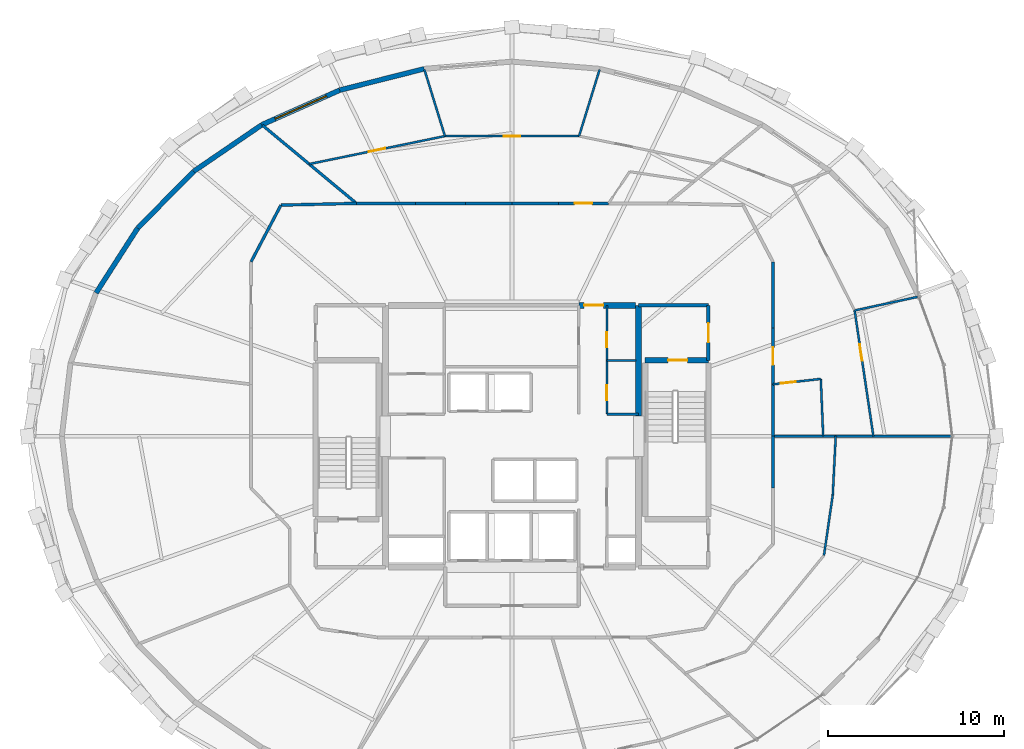
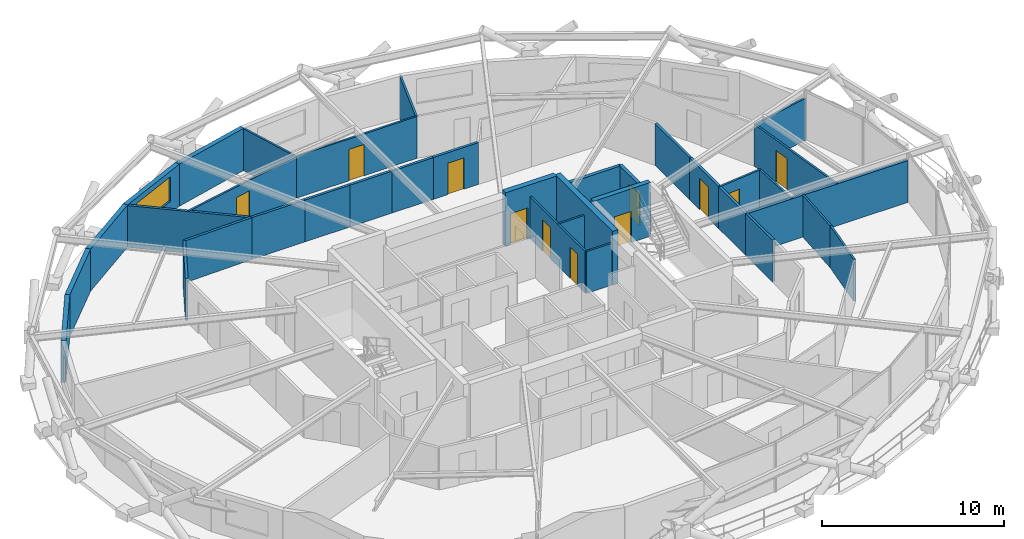
# One storey, part 13 of 15: 36 walls, 11 doors, 1 window, 12 openings.
"""IFC4 building model written with IfcOpenShell, lengths in metres."""

from ifc_helpers import new_model, si_unit, direction, frame, frame_2d, origin, place, context, subcontext, project, spatial, rectangle, extrude, material, layer, layer_set, type_object, element, fill, save


model = new_model("IFC4")

# Units and contexts
model_context = context("Model", 3, precision=1e-05, world=origin(), true_north=direction((0.0, 1.0)))
body_context = subcontext(model_context, "Body", "Model", "MODEL_VIEW")
ifc_project = project(units=[si_unit("LENGTHUNIT", "METRE"), si_unit("AREAUNIT", "SQUARE_METRE"), si_unit("VOLUMEUNIT", "CUBIC_METRE"), si_unit("PLANEANGLEUNIT", "RADIAN"), si_unit("MASSUNIT", "GRAM", prefix="KILO")], contexts=[model_context])

# Site, building, storey
site_placement = place(None, origin())
site = spatial("IfcSite", under=ifc_project, at=site_placement, CompositionType="ELEMENT")
building_placement = place(site_placement, origin())
building = spatial("IfcBuilding", under=site, at=building_placement, Name="Veldorina Hangang Commons", CompositionType="ELEMENT")
storey_placement = place(building_placement, frame((0.0, 0.0, 182.0)))
storey = spatial("IfcBuildingStorey", under=building, at=storey_placement, Name="L47", CompositionType="ELEMENT", Elevation=182.0)

# Wall
ifc_material_1 = material(Name="Concrete C60/75", Category="concrete")
ifc_layer_1 = layer(ifc_material_1, 0.340087890625)
ifc_layer_set_1 = layer_set([ifc_layer_1], Name="Concrete C60/75")
wall_type_1 = type_object("IfcWallType", Name="CW-RC340-C60", PredefinedType="SHEAR", material=ifc_layer_set_1)
wall_1_placement = place(storey_placement, frame((39.199951171875, 25.14990234375, 0.0), z_axis=(0.0, 0.0, 1.0), x_axis=(0.0, 1.0, 0.0)))
element("IfcWall", 1, at=wall_1_placement, inside=storey, type_object=wall_type_1, Name="L47 E north core shear wall", PredefinedType="SHEAR", context=body_context, shape_type="SweptSolid", body=[
    extrude(rectangle(XDim=6.300048828125, YDim=0.340087890625, at=frame_2d((3.14990234375, 0.0))), origin(), (0.0, 0.0, 1.0), 3.60009765625),
])

# Wall, opening, door
wall_2_placement = place(storey_placement, frame((35.800048828125, 31.449951171875, 0.0), z_axis=(0.0, 0.0, 1.0), x_axis=(1.0, 0.0, 0.0)))
wall_2 = element("IfcWall", 2, at=wall_2_placement, inside=storey, type_object=wall_type_1, Name="L47 north-east core shear wall", PredefinedType="SHEAR", context=body_context, shape_type="SweptSolid", body=[
    extrude(rectangle(XDim=3.22998046875, YDim=0.340087890625, at=frame_2d((1.614990234375, 0.0))), origin(), (0.0, 0.0, 1.0), 3.60009765625),
])
opening_1_placement = place(wall_2_placement, frame((0.300048828125, 0.0, 0.0)))
opening_1 = element("IfcOpeningElement", 3, at=opening_1_placement, cuts=wall_2, Name="Opening D-08", PredefinedType="OPENING", context=body_context, shape_type="SweptSolid", body=[
    extrude(rectangle(XDim=1.10009765625, YDim=2.10009765625, at=frame_2d((0.550048828125, 1.050048828125))), frame((0.0, 0.18017578125, 0.0), z_axis=(0.0, -1.0, 0.0), x_axis=(1.0, 0.0, 0.0)), (0.0, 0.0, 1.0), 0.360107421875),
])
ifc_material_2 = material(Name="Steel Fire-Rated Smoke Seal", Category="steel")
door_type_1 = type_object("IfcDoorType", Name="DR-FIRE-1100", OperationType="SINGLE_SWING_RIGHT", PredefinedType="DOOR", material=ifc_material_2)
door_1_placement = place(opening_1_placement, origin())
door_1 = element("IfcDoor", 4, at=door_1_placement, inside=storey, type_object=door_type_1, Name="L47 central lift lobby north corridor door", OperationType="SINGLE_SWING_LEFT", OverallHeight=2.10009765625, OverallWidth=1.10009765625, PredefinedType="DOOR", context=body_context, shape_type="SweptSolid", body=[
    extrude(rectangle(XDim=1.10009765625, YDim=2.10009765625, at=frame_2d((0.550048828125, 1.050048828125))), frame((0.0, 0.02490234375, 0.0), z_axis=(0.0, -1.0, 0.0), x_axis=(1.0, 0.0, 0.0)), (0.0, 0.0, 1.0), 0.050048828125),
])
fill(opening_1, door_1)

# Wall
ifc_material_3 = material(Name="Stone Roman Travertine", Category="masonry")
ifc_layer_2 = layer(ifc_material_3, 0.280029296875)
ifc_layer_set_2 = layer_set([ifc_layer_2], Name="Stone Roman Travertine")
wall_type_2 = type_object("IfcWallType", Name="EW-TRAV-280", PredefinedType="STANDARD", material=ifc_layer_set_2)
wall_3_placement = place(storey_placement, frame((27.00244140625, 44.90625, 0.0), z_axis=(0.0, 0.0, 1.0), x_axis=(-0.96958067748, -0.244771954803, 0.0)))
element("IfcWall", 5, at=wall_3_placement, inside=storey, type_object=wall_type_2, Name="L47 travertine facade wall 09", PredefinedType="STANDARD", context=body_context, shape_type="SweptSolid", body=[
    extrude(rectangle(XDim=4.956298828125, YDim=0.280029296875, at=frame_2d((2.47802734375, 0.0))), origin(), (0.0, 0.0, 1.0), 2.820068359375),
])

# Wall, opening, window
wall_4_placement = place(storey_placement, frame((22.197021484375, 43.693115234375, 0.0), z_axis=(0.0, 0.0, 1.0), x_axis=(-0.913703507389, -0.406381471754, 0.0)))
wall_4 = element("IfcWall", 6, at=wall_4_placement, inside=storey, type_object=wall_type_2, Name="L47 travertine facade wall 10", PredefinedType="STANDARD", context=body_context, shape_type="SweptSolid", body=[
    extrude(rectangle(XDim=4.846923828125, YDim=0.280029296875, at=frame_2d((2.42333984375, 0.0))), origin(), (0.0, 0.0, 1.0), 2.820068359375),
])
opening_2_placement = place(wall_4_placement, frame((0.823486328125, 0.0, 0.800048828125)))
opening_2 = element("IfcOpeningElement", 7, at=opening_2_placement, cuts=wall_4, Name="Opening W-01", PredefinedType="OPENING", context=body_context, shape_type="SweptSolid", body=[
    extrude(rectangle(XDim=3.199951171875, YDim=1.64990234375, at=frame_2d((1.60009765625, 0.824951171875))), frame((0.0, 0.14990234375, 0.0), z_axis=(0.0, -1.0, 0.0), x_axis=(1.0, 0.0, 0.0)), (0.0, 0.0, 1.0), 0.300048828125),
])
ifc_material_4 = material(Name="Glass Low-E Triple IGU", Category="glass")
window_type = type_object("IfcWindowType", Name="WIN-TWR-3200", PartitioningType="SINGLE_PANEL", PredefinedType="WINDOW", material=ifc_material_4)
window_placement = place(opening_2_placement, origin())
window = element("IfcWindow", 8, at=window_placement, inside=storey, type_object=window_type, Name="L47 facade window 10", OverallHeight=1.64990234375, OverallWidth=3.199951171875, PartitioningType="SINGLE_PANEL", PredefinedType="WINDOW", context=body_context, shape_type="SweptSolid", body=[
    extrude(rectangle(XDim=3.199951171875, YDim=1.64990234375, at=frame_2d((1.60009765625, 0.824951171875))), frame((0.0, 0.030029296875, 0.0), z_axis=(0.0, -1.0, 0.0), x_axis=(1.0, 0.0, 0.0)), (0.0, 0.0, 1.0), 0.06005859375),
])
fill(opening_2, window)

# Walls
wall_5_placement = place(storey_placement, frame((17.768310546875, 41.723388671875, 0.0), z_axis=(0.0, 0.0, 1.0), x_axis=(-0.825797441916, -0.563966829632, 0.0)))
element("IfcWall", 9, at=wall_5_placement, inside=storey, type_object=wall_type_2, Name="L47 travertine facade wall 11", PredefinedType="STANDARD", context=body_context, shape_type="SweptSolid", body=[
    extrude(rectangle(XDim=4.700439453125, YDim=0.280029296875, at=frame_2d((2.35009765625, 0.0))), origin(), (0.0, 0.0, 1.0), 2.820068359375),
])
wall_6_placement = place(storey_placement, frame((13.88671875, 39.072509765625, 0.0), z_axis=(0.0, 0.0, 1.0), x_axis=(-0.70219293187, -0.711986717876, 0.0)))
element("IfcWall", 10, at=wall_6_placement, inside=storey, type_object=wall_type_2, Name="L47 travertine facade wall 12", PredefinedType="STANDARD", context=body_context, shape_type="SweptSolid", body=[
    extrude(rectangle(XDim=4.536865234375, YDim=0.280029296875, at=frame_2d((2.2685546875, 0.0))), origin(), (0.0, 0.0, 1.0), 2.820068359375),
])
wall_7_placement = place(storey_placement, frame((10.700927734375, 35.84228515625, 0.0), z_axis=(0.0, 0.0, 1.0), x_axis=(-0.54047019892, -0.841363158261, 0.0)))
element("IfcWall", 11, at=wall_7_placement, inside=storey, type_object=wall_type_2, Name="L47 travertine facade wall 13", PredefinedType="STANDARD", context=body_context, shape_type="SweptSolid", body=[
    extrude(rectangle(XDim=4.3798828125, YDim=0.280029296875, at=frame_2d((2.18994140625, 0.0))), origin(), (0.0, 0.0, 1.0), 2.820068359375),
])

# Wall, opening, door
ifc_material_5 = material(Name="Concrete C50/60", Category="concrete")
ifc_layer_3 = layer(ifc_material_5, 0.300048828125)
ifc_layer_set_3 = layer_set([ifc_layer_3], Name="Concrete C50/60")
wall_type_3 = type_object("IfcWallType", Name="SW-STAIR-300", PredefinedType="SHEAR", material=ifc_layer_set_3)
wall_8_placement = place(storey_placement, frame((39.580078125, 28.320068359375, 0.0), z_axis=(0.0, 0.0, 1.0), x_axis=(1.0, 0.0, 0.0)))
wall_8 = element("IfcWall", 12, at=wall_8_placement, inside=storey, type_object=wall_type_3, Name="L47 ST2 north stair shear wall", PredefinedType="SHEAR", context=body_context, shape_type="SweptSolid", body=[
    extrude(rectangle(XDim=3.599853515625, YDim=0.300048828125, at=frame_2d((1.7998046875, 0.0))), origin(), (0.0, 0.0, 1.0), 3.60009765625),
])
opening_3_placement = place(wall_8_placement, frame((1.300048828125, 0.0, 0.0)))
opening_3 = element("IfcOpeningElement", 13, at=opening_3_placement, cuts=wall_8, Name="Opening D-08", PredefinedType="OPENING", context=body_context, shape_type="SweptSolid", body=[
    extrude(rectangle(XDim=1.10009765625, YDim=2.10009765625, at=frame_2d((0.550048828125, 1.050048828125))), frame((0.0, 0.16015625, 0.0), z_axis=(0.0, -1.0, 0.0), x_axis=(1.0, 0.0, 0.0)), (0.0, 0.0, 1.0), 0.320068359375),
])
door_2_placement = place(opening_3_placement, origin())
door_2 = element("IfcDoor", 14, at=door_2_placement, inside=storey, type_object=door_type_1, Name="L47 Special Escape Stair ST-2 door", OperationType="SINGLE_SWING_RIGHT", OverallHeight=2.10009765625, OverallWidth=1.10009765625, PredefinedType="DOOR", context=body_context, shape_type="SweptSolid", body=[
    extrude(rectangle(XDim=1.10009765625, YDim=2.10009765625, at=frame_2d((0.550048828125, 1.050048828125))), frame((0.0, 0.02490234375, 0.0), z_axis=(0.0, -1.0, 0.0), x_axis=(1.0, 0.0, 0.0)), (0.0, 0.0, 1.0), 0.050048828125),
])
fill(opening_3, door_2)

# Wall
ifc_material_6 = material(Name="Gypsum Fire-Rated Twin Stud Wall", Category="gypsum")
ifc_layer_4 = layer(ifc_material_6, 0.159912109375)
ifc_layer_set_4 = layer_set([ifc_layer_4], Name="Gypsum Fire-Rated Twin Stud Wall")
wall_type_4 = type_object("IfcWallType", Name="WL-FIRE-160", PredefinedType="SOLIDWALL", material=ifc_layer_set_4)
wall_9_placement = place(storey_placement, frame((46.85009765625, 24.0, 0.0), z_axis=(0.0, 0.0, 1.0), x_axis=(0.0, 1.0, 0.0)))
element("IfcWall", 15, at=wall_9_placement, inside=storey, type_object=wall_type_4, Name="L47 U-corridor outer wall 00 046", PredefinedType="SOLIDWALL", context=body_context, shape_type="SweptSolid", body=[
    extrude(rectangle(XDim=2.953857421875, YDim=0.159912109375, at=frame_2d((1.47705078125, 0.0))), origin(), (0.0, 0.0, 1.0), 2.800048828125),
])

# Wall, opening, door
wall_10_placement = place(storey_placement, frame((46.85009765625, 26.953857421875, 0.0), z_axis=(0.0, 0.0, 1.0), x_axis=(0.0, 1.0, 0.0)))
wall_10 = element("IfcWall", 16, at=wall_10_placement, inside=storey, type_object=wall_type_4, Name="L47 U-corridor outer wall 01 047", PredefinedType="SOLIDWALL", context=body_context, shape_type="SweptSolid", body=[
    extrude(rectangle(XDim=3.197265625, YDim=0.159912109375, at=frame_2d((1.5986328125, 0.0))), origin(), (0.0, 0.0, 1.0), 2.800048828125),
])
opening_4_placement = place(wall_10_placement, frame((1.0986328125, 0.0, 0.0)))
opening_4 = element("IfcOpeningElement", 17, at=opening_4_placement, cuts=wall_10, Name="Opening D-06", PredefinedType="OPENING", context=body_context, shape_type="SweptSolid", body=[
    extrude(rectangle(XDim=1.0, YDim=2.10009765625, at=frame_2d((0.5, 1.050048828125))), frame((0.0, 0.08984375, 0.0), z_axis=(0.0, -1.0, 0.0), x_axis=(1.0, 0.0, 0.0)), (0.0, 0.0, 1.0), 0.179931640625),
])
ifc_material_7 = material(Name="Timber Fire-Rated Entrance Core", Category="wood")
door_type_2 = type_object("IfcDoorType", Name="DR-UNIT-1000", OperationType="SINGLE_SWING_LEFT", PredefinedType="DOOR", material=ifc_material_7)
door_3_placement = place(opening_4_placement, origin())
door_3 = element("IfcDoor", 18, at=door_3_placement, inside=storey, type_object=door_type_2, Name="L47 Cluster 2 entrance door 021", OperationType="SINGLE_SWING_LEFT", OverallHeight=2.10009765625, OverallWidth=1.0, PredefinedType="DOOR", context=body_context, shape_type="SweptSolid", body=[
    extrude(rectangle(XDim=1.0, YDim=2.10009765625, at=frame_2d((0.5, 1.050048828125))), frame((0.0, 0.02490234375, 0.0), z_axis=(0.0, -1.0, 0.0), x_axis=(1.0, 0.0, 0.0)), (0.0, 0.0, 1.0), 0.050048828125),
])
fill(opening_4, door_3)

# Wall
wall_11_placement = place(storey_placement, frame((46.85009765625, 30.151123046875, 0.0), z_axis=(0.0, 0.0, 1.0), x_axis=(0.0, 1.0, 0.0)))
element("IfcWall", 19, at=wall_11_placement, inside=storey, type_object=wall_type_4, Name="L47 U-corridor outer wall 02 048", PredefinedType="SOLIDWALL", context=body_context, shape_type="SweptSolid", body=[
    extrude(rectangle(XDim=3.771484375, YDim=0.159912109375, at=frame_2d((1.8857421875, 0.0))), origin(), (0.0, 0.0, 1.0), 2.800048828125),
])

# Wall, opening, door
wall_12_placement = place(storey_placement, frame((37.48828125, 37.25, 0.0), z_axis=(0.0, 0.0, 1.0), x_axis=(-1.0, 0.0, 0.0)))
wall_12 = element("IfcWall", 20, at=wall_12_placement, inside=storey, type_object=wall_type_4, Name="L47 U-corridor outer wall 06 052", PredefinedType="SOLIDWALL", context=body_context, shape_type="SweptSolid", body=[
    extrude(rectangle(XDim=2.852783203125, YDim=0.159912109375, at=frame_2d((1.42626953125, 0.0))), origin(), (0.0, 0.0, 1.0), 2.800048828125),
])
opening_5_placement = place(wall_12_placement, frame((0.926513671875, 0.0, 0.0)))
opening_5 = element("IfcOpeningElement", 21, at=opening_5_placement, cuts=wall_12, Name="Opening D-06", PredefinedType="OPENING", context=body_context, shape_type="SweptSolid", body=[
    extrude(rectangle(XDim=1.0, YDim=2.10009765625, at=frame_2d((0.5, 1.050048828125))), frame((0.0, 0.08984375, 0.0), z_axis=(0.0, -1.0, 0.0), x_axis=(1.0, 0.0, 0.0)), (0.0, 0.0, 1.0), 0.179931640625),
])
door_4_placement = place(opening_5_placement, origin())
door_4 = element("IfcDoor", 22, at=door_4_placement, inside=storey, type_object=door_type_2, Name="L47 Cluster 3 entrance door 026", OperationType="SINGLE_SWING_RIGHT", OverallHeight=2.10009765625, OverallWidth=1.0, PredefinedType="DOOR", context=body_context, shape_type="SweptSolid", body=[
    extrude(rectangle(XDim=1.0, YDim=2.10009765625, at=frame_2d((0.5, 1.050048828125))), frame((0.0, 0.02490234375, 0.0), z_axis=(0.0, -1.0, 0.0), x_axis=(1.0, 0.0, 0.0)), (0.0, 0.0, 1.0), 0.050048828125),
])
fill(opening_5, door_4)

# Walls
for number, where, z_axis, x_axis, name in (
    (23, (34.635498046875, 37.25, 0.0), (0.0, 0.0, 1.0), (-1.0, 0.0, 0.0), "L47 U-corridor outer wall 07 053"),
    (24, (32.0, 37.25, 0.0), (0.0, 0.0, 1.0), (-1.0, 0.0, 0.0), "L47 U-corridor outer wall 08 054"),
):
    element("IfcWall", number, at=place(storey_placement, frame(where, z_axis=z_axis, x_axis=x_axis)), inside=storey, type_object=wall_type_4, Name=name, PredefinedType="SOLIDWALL", context=body_context, shape_type="SweptSolid", body=[
        extrude(rectangle(XDim=2.635498046875, YDim=0.159912109375, at=frame_2d((1.31787109375, 0.0))), origin(), (0.0, 0.0, 1.0), 2.800048828125),
    ])
wall_13_placement = place(storey_placement, frame((29.364501953125, 37.25, 0.0), z_axis=(0.0, 0.0, 1.0), x_axis=(-1.0, 0.0, 0.0)))
element("IfcWall", 25, at=wall_13_placement, inside=storey, type_object=wall_type_4, Name="L47 U-corridor outer wall 09 055", PredefinedType="SOLIDWALL", context=body_context, shape_type="SweptSolid", body=[
    extrude(rectangle(XDim=2.852783203125, YDim=0.159912109375, at=frame_2d((1.42626953125, 0.0))), origin(), (0.0, 0.0, 1.0), 2.800048828125),
])
wall_14_placement = place(storey_placement, frame((26.51171875, 37.25, 0.0), z_axis=(0.0, 0.0, 1.0), x_axis=(-1.0, 0.0, 0.0)))
element("IfcWall", 26, at=wall_14_placement, inside=storey, type_object=wall_type_4, Name="L47 U-corridor outer wall 10 056", PredefinedType="SOLIDWALL", context=body_context, shape_type="SweptSolid", body=[
    extrude(rectangle(XDim=3.365234375, YDim=0.159912109375, at=frame_2d((1.6826171875, 0.0))), origin(), (0.0, 0.0, 1.0), 2.800048828125),
])
wall_15_placement = place(storey_placement, frame((23.146484375, 37.25, 0.0), z_axis=(0.0, 0.0, 1.0), x_axis=(-0.999728709658, -0.023291781507, 0.0)))
element("IfcWall", 27, at=wall_15_placement, inside=storey, type_object=wall_type_4, Name="L47 U-corridor outer wall 11 057", PredefinedType="SOLIDWALL", context=body_context, shape_type="SweptSolid", body=[
    extrude(rectangle(XDim=4.297607421875, YDim=0.159912109375, at=frame_2d((2.14892578125, 0.0))), origin(), (0.0, 0.0, 1.0), 2.800048828125),
])
wall_16_placement = place(storey_placement, frame((18.85009765625, 37.14990234375, 0.0), z_axis=(0.0, 0.0, 1.0), x_axis=(-0.466093963429, -0.884735224378, 0.0)))
element("IfcWall", 28, at=wall_16_placement, inside=storey, type_object=wall_type_4, Name="L47 U-corridor outer wall 12 058", PredefinedType="SOLIDWALL", context=body_context, shape_type="SweptSolid", body=[
    extrude(rectangle(XDim=3.647705078125, YDim=0.159912109375, at=frame_2d((1.82373046875, 0.0))), origin(), (0.0, 0.0, 1.0), 2.800048828125),
])
wall_17_placement = place(storey_placement, frame((46.85009765625, 21.046142578125, 0.0), z_axis=(0.0, 0.0, 1.0), x_axis=(0.0, 1.0, 0.0)))
element("IfcWall", 29, at=wall_17_placement, inside=storey, type_object=wall_type_4, Name="L47 U-corridor outer wall 31 077", PredefinedType="SOLIDWALL", context=body_context, shape_type="SweptSolid", body=[
    extrude(rectangle(XDim=2.953857421875, YDim=0.159912109375, at=frame_2d((1.47705078125, 0.0))), origin(), (0.0, 0.0, 1.0), 2.800048828125),
])
wall_18_placement = place(storey_placement, frame((46.85009765625, 24.0, 0.0), z_axis=(0.0, 0.0, 1.0), x_axis=(1.0, 0.0, 0.0)))
element("IfcWall", 30, at=wall_18_placement, inside=storey, type_object=wall_type_4, Name="L47 Unit party wall 00 084", PredefinedType="SOLIDWALL", context=body_context, shape_type="SweptSolid", body=[
    extrude(rectangle(XDim=10.156005859375, YDim=0.159912109375, at=frame_2d((5.078125, 0.0))), origin(), (0.0, 0.0, 1.0), 2.800048828125),
])
wall_19_placement = place(storey_placement, frame((23.146484375, 37.25, 0.0), z_axis=(0.0, 0.0, 1.0), x_axis=(-0.768805862504, 0.639482248213, 0.0)))
element("IfcWall", 31, at=wall_19_placement, inside=storey, type_object=wall_type_4, Name="L47 Unit party wall 11 100", PredefinedType="SOLIDWALL", context=body_context, shape_type="SweptSolid", body=[
    extrude(rectangle(XDim=6.9453125, YDim=0.159912109375, at=frame_2d((3.47265625, 0.0))), origin(), (0.0, 0.0, 1.0), 2.800048828125),
])

# Wall, opening, door
ifc_material_8 = material(Name="Concrete Blockwork Fire Wall C30/37", Category="masonry")
ifc_layer_5 = layer(ifc_material_8, 0.199951171875)
ifc_layer_set_5 = layer_set([ifc_layer_5], Name="Concrete Blockwork Fire Wall C30/37")
wall_type_5 = type_object("IfcWallType", Name="WL-FIRE-200", PredefinedType="SOLIDWALL", material=ifc_layer_set_5)
wall_20_placement = place(storey_placement, frame((43.179931640625, 28.320068359375, 0.0), z_axis=(0.0, 0.0, 1.0), x_axis=(0.0, 1.0, 0.0)))
wall_20 = element("IfcWall", 32, at=wall_20_placement, inside=storey, type_object=wall_type_5, Name="L47 East vestibule outer wall 003", PredefinedType="SOLIDWALL", context=body_context, shape_type="SweptSolid", body=[
    extrude(rectangle(XDim=3.1298828125, YDim=0.199951171875, at=frame_2d((1.56494140625, 0.0))), origin(), (0.0, 0.0, 1.0), 2.800048828125),
])
opening_6_placement = place(wall_20_placement, frame((1.014892578125, 0.0, 0.0)))
opening_6 = element("IfcOpeningElement", 33, at=opening_6_placement, cuts=wall_20, Name="Opening D-08", PredefinedType="OPENING", context=body_context, shape_type="SweptSolid", body=[
    extrude(rectangle(XDim=1.10009765625, YDim=2.10009765625, at=frame_2d((0.550048828125, 1.050048828125))), frame((0.0, 0.10986328125, 0.0), z_axis=(0.0, -1.0, 0.0), x_axis=(1.0, 0.0, 0.0)), (0.0, 0.0, 1.0), 0.219970703125),
])
door_5_placement = place(opening_6_placement, origin())
door_5 = element("IfcDoor", 34, at=door_5_placement, inside=storey, type_object=door_type_1, Name="L47 East vestibule east door 002", OperationType="SINGLE_SWING_RIGHT", OverallHeight=2.10009765625, OverallWidth=1.10009765625, PredefinedType="DOOR", context=body_context, shape_type="SweptSolid", body=[
    extrude(rectangle(XDim=1.10009765625, YDim=2.10009765625, at=frame_2d((0.550048828125, 1.050048828125))), frame((0.0, 0.02490234375, 0.0), z_axis=(0.0, -1.0, 0.0), x_axis=(1.0, 0.0, 0.0)), (0.0, 0.0, 1.0), 0.050048828125),
])
fill(opening_6, door_5)

# Wall
wall_21_placement = place(storey_placement, frame((39.199951171875, 31.449951171875, 0.0), z_axis=(0.0, 0.0, 1.0), x_axis=(1.0, 0.0, 0.0)))
element("IfcWall", 35, at=wall_21_placement, inside=storey, type_object=wall_type_5, Name="L47 East vestibule north wall 004", PredefinedType="SOLIDWALL", context=body_context, shape_type="SweptSolid", body=[
    extrude(rectangle(XDim=3.97998046875, YDim=0.199951171875, at=frame_2d((1.989990234375, 0.0))), origin(), (0.0, 0.0, 1.0), 2.800048828125),
])

# Wall, openings, doors
ifc_material_9 = material(Name="Gypsum Acoustic Stud Partition", Category="gypsum")
ifc_layer_6 = layer(ifc_material_9, 0.1201171875)
ifc_layer_set_6 = layer_set([ifc_layer_6], Name="Gypsum Acoustic Stud Partition")
wall_type_6 = type_object("IfcWallType", Name="WL-PART-120", PredefinedType="PARTITIONING", material=ifc_layer_set_6)
wall_22_placement = place(storey_placement, frame((37.39990234375, 25.25, 0.0), z_axis=(0.0, 0.0, 1.0), x_axis=(0.0, 1.0, 0.0)))
wall_22 = element("IfcWall", 36, at=wall_22_placement, inside=storey, type_object=wall_type_6, Name="L47 NE strip lobby wall 040", PredefinedType="PARTITIONING", context=body_context, shape_type="SweptSolid", body=[
    extrude(rectangle(XDim=6.199951171875, YDim=0.1201171875, at=frame_2d((3.10009765625, 0.0))), origin(), (0.0, 0.0, 1.0), 2.800048828125),
])
opening_7_placement = place(wall_22_placement, frame((0.800048828125, 0.0, 0.0)))
opening_7 = element("IfcOpeningElement", 37, at=opening_7_placement, cuts=wall_22, Name="Opening D-01", PredefinedType="OPENING", context=body_context, shape_type="SweptSolid", body=[
    extrude(rectangle(XDim=0.860107421875, YDim=2.10009765625, at=frame_2d((0.43017578125, 1.050048828125))), frame((0.0, 0.070068359375, 0.0), z_axis=(0.0, -1.0, 0.0), x_axis=(1.0, 0.0, 0.0)), (0.0, 0.0, 1.0), 0.14013671875),
])
opening_8_placement = place(wall_22_placement, frame((3.800048828125, 0.0, 0.0)))
opening_8 = element("IfcOpeningElement", 38, at=opening_8_placement, cuts=wall_22, Name="Opening D-01", PredefinedType="OPENING", context=body_context, shape_type="SweptSolid", body=[
    extrude(rectangle(XDim=0.860107421875, YDim=2.10009765625, at=frame_2d((0.43017578125, 1.050048828125))), frame((0.0, 0.070068359375, 0.0), z_axis=(0.0, -1.0, 0.0), x_axis=(1.0, 0.0, 0.0)), (0.0, 0.0, 1.0), 0.14013671875),
])
ifc_material_10 = material(Name="Timber Moisture-Resistant Core", Category="wood")
door_type_3 = type_object("IfcDoorType", Name="DR-WET-860", OperationType="SINGLE_SWING_LEFT", PredefinedType="DOOR", material=ifc_material_10)
door_6_placement = place(opening_7_placement, origin())
door_6 = element("IfcDoor", 39, at=door_6_placement, inside=storey, type_object=door_type_3, Name="L47 Electrical closet door 015", OperationType="SINGLE_SWING_LEFT", OverallHeight=2.10009765625, OverallWidth=0.860107421875, PredefinedType="DOOR", context=body_context, shape_type="SweptSolid", body=[
    extrude(rectangle(XDim=0.860107421875, YDim=2.10009765625, at=frame_2d((0.43017578125, 1.050048828125))), frame((0.0, 0.02490234375, 0.0), z_axis=(0.0, -1.0, 0.0), x_axis=(1.0, 0.0, 0.0)), (0.0, 0.0, 1.0), 0.050048828125),
])
fill(opening_7, door_6)
door_7_placement = place(opening_8_placement, origin())
door_7 = element("IfcDoor", 40, at=door_7_placement, inside=storey, type_object=door_type_3, Name="L47 IT closet door 016", OperationType="SINGLE_SWING_RIGHT", OverallHeight=2.10009765625, OverallWidth=0.860107421875, PredefinedType="DOOR", context=body_context, shape_type="SweptSolid", body=[
    extrude(rectangle(XDim=0.860107421875, YDim=2.10009765625, at=frame_2d((0.43017578125, 1.050048828125))), frame((0.0, 0.02490234375, 0.0), z_axis=(0.0, -1.0, 0.0), x_axis=(1.0, 0.0, 0.0)), (0.0, 0.0, 1.0), 0.050048828125),
])
fill(opening_8, door_7)

# Walls
wall_23_placement = place(storey_placement, frame((37.39990234375, 25.25, 0.0), z_axis=(0.0, 0.0, 1.0), x_axis=(1.0, 0.0, 0.0)))
element("IfcWall", 41, at=wall_23_placement, inside=storey, type_object=wall_type_6, Name="L47 NE strip south return wall 041", PredefinedType="PARTITIONING", context=body_context, shape_type="SweptSolid", body=[
    extrude(rectangle(XDim=1.800048828125, YDim=0.1201171875, at=frame_2d((0.89990234375, 0.0))), origin(), (0.0, 0.0, 1.0), 2.800048828125),
])
wall_24_placement = place(storey_placement, frame((37.39990234375, 28.300048828125, 0.0), z_axis=(0.0, 0.0, 1.0), x_axis=(1.0, 0.0, 0.0)))
element("IfcWall", 42, at=wall_24_placement, inside=storey, type_object=wall_type_6, Name="L47 NE mid wall 045", PredefinedType="PARTITIONING", context=body_context, shape_type="SweptSolid", body=[
    extrude(rectangle(XDim=1.650146484375, YDim=0.1201171875, at=frame_2d((0.8251953125, 0.0))), origin(), (0.0, 0.0, 1.0), 2.800048828125),
])
wall_25_placement = place(storey_placement, frame((49.754638671875, 17.2216796875, 0.0), z_axis=(0.0, 0.0, 1.0), x_axis=(0.143514782999, 0.989648173373, 0.0)))
element("IfcWall", 43, at=wall_25_placement, inside=storey, type_object=wall_type_6, Name="L47 Lounge alcove split 3 082", PredefinedType="PARTITIONING", context=body_context, shape_type="SweptSolid", body=[
    extrude(rectangle(XDim=3.47705078125, YDim=0.1201171875, at=frame_2d((1.738525390625, 0.0))), origin(), (0.0, 0.0, 1.0), 2.800048828125),
])
wall_26_placement = place(storey_placement, frame((50.253662109375, 20.662841796875, 0.0), z_axis=(0.0, 0.0, 1.0), x_axis=(0.050414994906, 0.998728355605, 0.0)))
element("IfcWall", 44, at=wall_26_placement, inside=storey, type_object=wall_type_6, Name="L47 Lounge alcove split 4 083", PredefinedType="PARTITIONING", context=body_context, shape_type="SweptSolid", body=[
    extrude(rectangle(XDim=3.34130859375, YDim=0.1201171875, at=frame_2d((1.670654296875, 0.0))), origin(), (0.0, 0.0, 1.0), 2.800048828125),
])
wall_27_placement = place(storey_placement, frame((49.707763671875, 24.0, 0.0), z_axis=(0.0, 0.0, 1.0), x_axis=(-0.041297572746, 0.999146891345, 0.0)))
element("IfcWall", 45, at=wall_27_placement, inside=storey, type_object=wall_type_6, Name="L47 Cluster 2 bath front wall 085", PredefinedType="PARTITIONING", context=body_context, shape_type="SweptSolid", body=[
    extrude(rectangle(XDim=3.26318359375, YDim=0.1201171875, at=frame_2d((1.631591796875, 0.0))), origin(), (0.0, 0.0, 1.0), 2.800048828125),
])

# Wall, opening, door
wall_28_placement = place(storey_placement, frame((46.85009765625, 26.953857421875, 0.0), z_axis=(0.0, 0.0, 1.0), x_axis=(0.993718565595, 0.111908053294, 0.0)))
wall_28 = element("IfcWall", 46, at=wall_28_placement, inside=storey, type_object=wall_type_6, Name="L47 Cluster 2 bath side wall 086", PredefinedType="PARTITIONING", context=body_context, shape_type="SweptSolid", body=[
    extrude(rectangle(XDim=2.739990234375, YDim=0.1201171875, at=frame_2d((1.3701171875, 0.0))), origin(), (0.0, 0.0, 1.0), 2.800048828125),
])
opening_9_placement = place(wall_28_placement, frame((0.43994140625, 0.0, 0.0)))
opening_9 = element("IfcOpeningElement", 47, at=opening_9_placement, cuts=wall_28, Name="Opening D-01", PredefinedType="OPENING", context=body_context, shape_type="SweptSolid", body=[
    extrude(rectangle(XDim=0.860107421875, YDim=2.10009765625, at=frame_2d((0.43017578125, 1.050048828125))), frame((0.0, 0.070068359375, 0.0), z_axis=(0.0, -1.0, 0.0), x_axis=(1.0, 0.0, 0.0)), (0.0, 0.0, 1.0), 0.14013671875),
])
door_8_placement = place(opening_9_placement, origin())
door_8 = element("IfcDoor", 48, at=door_8_placement, inside=storey, type_object=door_type_3, Name="L47 Cluster 2 shared bathroom door 020", OperationType="SINGLE_SWING_RIGHT", OverallHeight=2.10009765625, OverallWidth=0.860107421875, PredefinedType="DOOR", context=body_context, shape_type="SweptSolid", body=[
    extrude(rectangle(XDim=0.860107421875, YDim=2.10009765625, at=frame_2d((0.43017578125, 1.050048828125))), frame((0.0, 0.02490234375, 0.0), z_axis=(0.0, -1.0, 0.0), x_axis=(1.0, 0.0, 0.0)), (0.0, 0.0, 1.0), 0.050048828125),
])
fill(opening_9, door_8)

wall_29_placement = place(storey_placement, frame((52.5654296875, 24.0, 0.0), z_axis=(0.0, 0.0, 1.0), x_axis=(-0.147655518548, 0.989038850522, 0.0)))
wall_29 = element("IfcWall", 49, at=wall_29_placement, inside=storey, type_object=wall_type_6, Name="L47 Cluster 2 bed 1 front wall 087", PredefinedType="PARTITIONING", context=body_context, shape_type="SweptSolid", body=[
    extrude(rectangle(XDim=7.23388671875, YDim=0.1201171875, at=frame_2d((3.616943359375, 0.0))), origin(), (0.0, 0.0, 1.0), 2.800048828125),
])
opening_10_placement = place(wall_29_placement, frame((4.330810546875, 0.0, 0.0)))
opening_10 = element("IfcOpeningElement", 50, at=opening_10_placement, cuts=wall_29, Name="Opening D-02", PredefinedType="OPENING", context=body_context, shape_type="SweptSolid", body=[
    extrude(rectangle(XDim=0.949951171875, YDim=2.10009765625, at=frame_2d((0.47509765625, 1.050048828125))), frame((0.0, 0.070068359375, 0.0), z_axis=(0.0, -1.0, 0.0), x_axis=(1.0, 0.0, 0.0)), (0.0, 0.0, 1.0), 0.14013671875),
])
ifc_material_11 = material(Name="Timber Solid Core Acoustic", Category="wood")
door_type_4 = type_object("IfcDoorType", Name="DR-INT-950", OperationType="SINGLE_SWING_LEFT", PredefinedType="DOOR", material=ifc_material_11)
door_9_placement = place(opening_10_placement, origin())
door_9 = element("IfcDoor", 51, at=door_9_placement, inside=storey, type_object=door_type_4, Name="L47 Cluster 2 bed 1 door 022", OperationType="SINGLE_SWING_RIGHT", OverallHeight=2.10009765625, OverallWidth=0.949951171875, PredefinedType="DOOR", context=body_context, shape_type="SweptSolid", body=[
    extrude(rectangle(XDim=0.949951171875, YDim=2.10009765625, at=frame_2d((0.47509765625, 1.050048828125))), frame((0.0, 0.02490234375, 0.0), z_axis=(0.0, -1.0, 0.0), x_axis=(1.0, 0.0, 0.0)), (0.0, 0.0, 1.0), 0.050048828125),
])
fill(opening_10, door_9)

# Wall
wall_30_placement = place(storey_placement, frame((51.497314453125, 31.154541015625, 0.0), z_axis=(0.0, 0.0, 1.0), x_axis=(0.977478463265, 0.211035195769, 0.0)))
element("IfcWall", 52, at=wall_30_placement, inside=storey, type_object=wall_type_6, Name="L47 Cluster 2 bed divider 1 089", PredefinedType="PARTITIONING", context=body_context, shape_type="SweptSolid", body=[
    extrude(rectangle(XDim=3.685791015625, YDim=0.1201171875, at=frame_2d((1.8427734375, 0.0))), origin(), (0.0, 0.0, 1.0), 2.800048828125),
])

# Wall, opening, door
wall_31_placement = place(storey_placement, frame((35.81640625, 41.078125, 0.0), z_axis=(0.0, 0.0, 1.0), x_axis=(-1.0, 0.0, 0.0)))
wall_31 = element("IfcWall", 53, at=wall_31_placement, inside=storey, type_object=wall_type_6, Name="L47 Cluster 3 bed 2 front wall 096", PredefinedType="PARTITIONING", context=body_context, shape_type="SweptSolid", body=[
    extrude(rectangle(XDim=7.6328125, YDim=0.1201171875, at=frame_2d((3.81640625, 0.0))), origin(), (0.0, 0.0, 1.0), 2.800048828125),
])
opening_11_placement = place(wall_31_placement, frame((3.341552734375, 0.0, 0.0)))
opening_11 = element("IfcOpeningElement", 54, at=opening_11_placement, cuts=wall_31, Name="Opening D-02", PredefinedType="OPENING", context=body_context, shape_type="SweptSolid", body=[
    extrude(rectangle(XDim=0.949951171875, YDim=2.10009765625, at=frame_2d((0.47509765625, 1.050048828125))), frame((0.0, 0.070068359375, 0.0), z_axis=(0.0, -1.0, 0.0), x_axis=(1.0, 0.0, 0.0)), (0.0, 0.0, 1.0), 0.14013671875),
])
door_10_placement = place(opening_11_placement, origin())
door_10 = element("IfcDoor", 55, at=door_10_placement, inside=storey, type_object=door_type_4, Name="L47 Cluster 3 bed 2 door 028", OperationType="SINGLE_SWING_RIGHT", OverallHeight=2.10009765625, OverallWidth=0.949951171875, PredefinedType="DOOR", context=body_context, shape_type="SweptSolid", body=[
    extrude(rectangle(XDim=0.949951171875, YDim=2.10009765625, at=frame_2d((0.47509765625, 1.050048828125))), frame((0.0, 0.02490234375, 0.0), z_axis=(0.0, -1.0, 0.0), x_axis=(1.0, 0.0, 0.0)), (0.0, 0.0, 1.0), 0.050048828125),
])
fill(opening_11, door_10)

# Wall
wall_32_placement = place(storey_placement, frame((35.81640625, 41.078125, 0.0), z_axis=(0.0, 0.0, 1.0), x_axis=(0.294857647308, 0.955541191066, 0.0)))
element("IfcWall", 56, at=wall_32_placement, inside=storey, type_object=wall_type_6, Name="L47 Cluster 3 bed divider 1 097", PredefinedType="PARTITIONING", context=body_context, shape_type="SweptSolid", body=[
    extrude(rectangle(XDim=3.9560546875, YDim=0.1201171875, at=frame_2d((1.97802734375, 0.0))), origin(), (0.0, 0.0, 1.0), 2.800048828125),
])

# Wall, opening, door
wall_33_placement = place(storey_placement, frame((28.18359375, 41.078125, 0.0), z_axis=(0.0, 0.0, 1.0), x_axis=(-0.979440858822, -0.201731514814, 0.0)))
wall_33 = element("IfcWall", 57, at=wall_33_placement, inside=storey, type_object=wall_type_6, Name="L47 Cluster 3 bed 3 front wall 098", PredefinedType="PARTITIONING", context=body_context, shape_type="SweptSolid", body=[
    extrude(rectangle(XDim=7.88818359375, YDim=0.1201171875, at=frame_2d((3.944091796875, 0.0))), origin(), (0.0, 0.0, 1.0), 2.800048828125),
])
opening_12_placement = place(wall_33_placement, frame((3.468994140625, 0.0, 0.0)))
opening_12 = element("IfcOpeningElement", 58, at=opening_12_placement, cuts=wall_33, Name="Opening D-02", PredefinedType="OPENING", context=body_context, shape_type="SweptSolid", body=[
    extrude(rectangle(XDim=0.949951171875, YDim=2.10009765625, at=frame_2d((0.47509765625, 1.050048828125))), frame((0.0, 0.070068359375, 0.0), z_axis=(0.0, -1.0, 0.0), x_axis=(1.0, 0.0, 0.0)), (0.0, 0.0, 1.0), 0.14013671875),
])
door_11_placement = place(opening_12_placement, origin())
door_11 = element("IfcDoor", 59, at=door_11_placement, inside=storey, type_object=door_type_4, Name="L47 Cluster 3 bed 3 door 029", OperationType="SINGLE_SWING_LEFT", OverallHeight=2.10009765625, OverallWidth=0.949951171875, PredefinedType="DOOR", context=body_context, shape_type="SweptSolid", body=[
    extrude(rectangle(XDim=0.949951171875, YDim=2.10009765625, at=frame_2d((0.47509765625, 1.050048828125))), frame((0.0, 0.02490234375, 0.0), z_axis=(0.0, -1.0, 0.0), x_axis=(1.0, 0.0, 0.0)), (0.0, 0.0, 1.0), 0.050048828125),
])
fill(opening_12, door_11)

# Wall
wall_34_placement = place(storey_placement, frame((28.18359375, 41.078125, 0.0), z_axis=(0.0, 0.0, 1.0), x_axis=(-0.294857647308, 0.955541191066, 0.0)))
element("IfcWall", 60, at=wall_34_placement, inside=storey, type_object=wall_type_6, Name="L47 Cluster 3 bed divider 2 099", PredefinedType="PARTITIONING", context=body_context, shape_type="SweptSolid", body=[
    extrude(rectangle(XDim=3.9560546875, YDim=0.1201171875, at=frame_2d((1.97802734375, 0.0))), origin(), (0.0, 0.0, 1.0), 2.800048828125),
])

save(model, "model.ifc")
